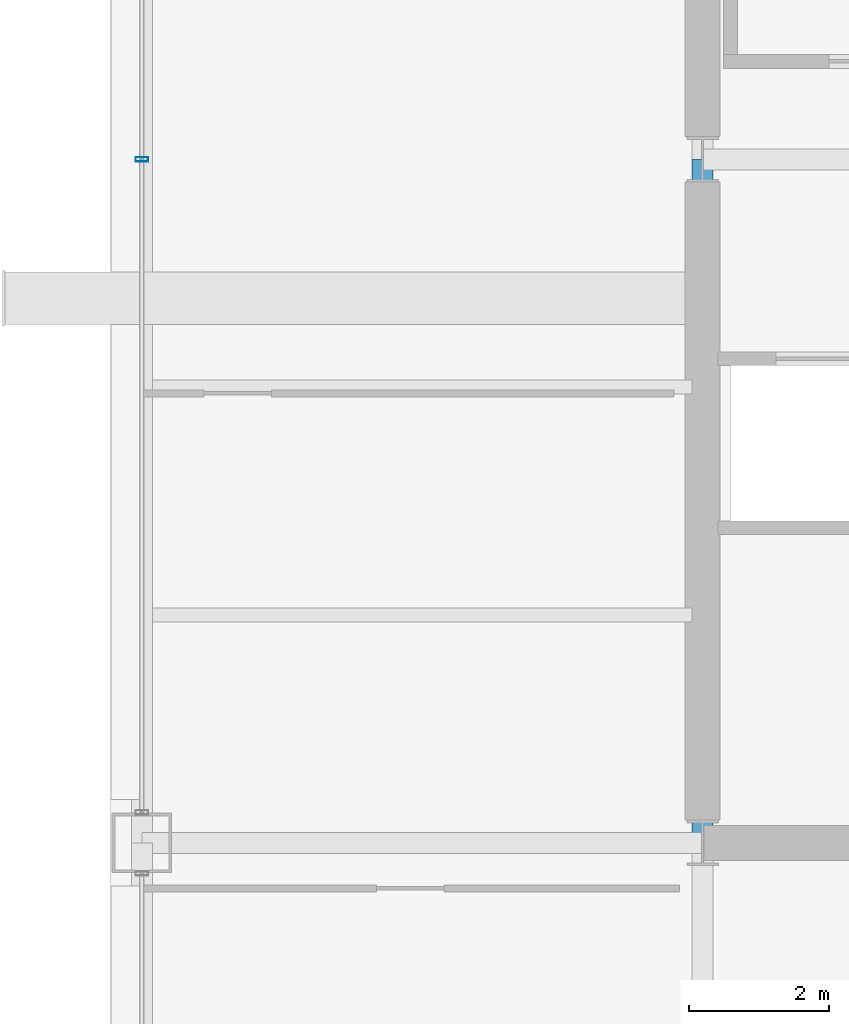
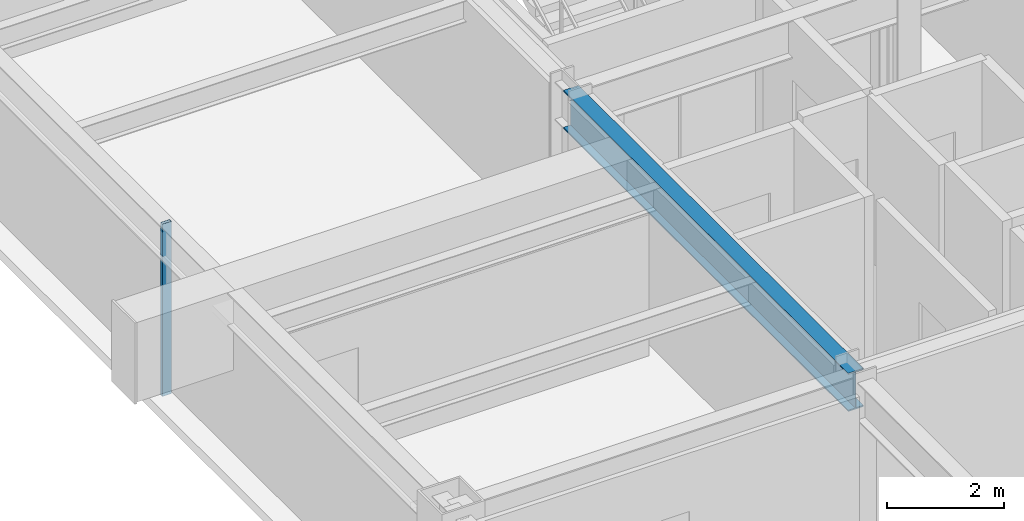
# One storey, part 6 of 28: 1 beam, 1 member, 1 element without a shape of its own.
"""IFC4 building model written with IfcOpenShell, lengths in metres."""

import ifcopenshell
import ifcopenshell.guid

model = None  # the IFC model being written
_history = None  # IfcOwnerHistory: only IFC2X3 demands one
_inside = {}  # id of a spatial element -> (the spatial element, [elements in it])
_under = {}  # id of a project, library or spatial element -> (it, [spatial elements below it])
_declared = {}  # id of a project -> (the project, [libraries it declares])
_typed = {}  # id of a type object -> (the type object, [elements of that type])
_made_of = {}  # id of a material, layer set ... -> (it, [elements and type objects made of it])


def new_model(schema):
    """Start an empty IFC model of exactly this schema.

    Asked for "IFC4X3", IfcOpenShell would pick the latest addendum, in which some entities
    have other attributes; the version numbers below select the first issue.
    IFC2X3 requires an IfcOwnerHistory on every rooted entity: one is made here for all.
    """
    global model, _history
    if schema == "IFC4X3":
        model = ifcopenshell.file(schema_version=(4, 3, 0, 0))
    else:
        model = ifcopenshell.file(schema=schema)
    _inside.clear()
    _under.clear()
    _declared.clear()
    _typed.clear()
    _made_of.clear()
    _history = None
    if model.schema == "IFC2X3":
        org = make("IfcOrganization", Name="unknown")
        user = make(
            "IfcPersonAndOrganization",
            ThePerson=make("IfcPerson", FamilyName="unknown"),
            TheOrganization=org,
        )
        app = make(
            "IfcApplication",
            ApplicationDeveloper=org,
            Version="unknown",
            ApplicationFullName="unknown",
            ApplicationIdentifier="unknown",
        )
        _history = make(
            "IfcOwnerHistory",
            OwningUser=user,
            OwningApplication=app,
            ChangeAction="ADDED",
            CreationDate=0,
        )
    return model


def make(cls, **values):
    """One entity of the class cls with the attributes given. An attribute that is None is left unset."""
    return model.create_entity(
        cls, **{name: value for name, value in values.items() if value is not None}
    )


def rooted(cls, **values):
    """An entity with a GlobalId (a new one), such as an element, a storey or a relation."""
    return make(cls, GlobalId=ifcopenshell.guid.new(), OwnerHistory=_history, **values)


def si_unit(unit_type, name, prefix=None):
    """IfcSIUnit, for example si_unit("LENGTHUNIT", "METRE", prefix="MILLI")."""
    return make("IfcSIUnit", UnitType=unit_type, Prefix=prefix, Name=name)


def assignment(units):
    """IfcUnitAssignment: the units of a project."""
    return None if units is None else make("IfcUnitAssignment", Units=units)


def point(xyz):
    """IfcCartesianPoint."""
    return None if xyz is None else make("IfcCartesianPoint", Coordinates=xyz)


def direction(xyz):
    """IfcDirection."""
    return None if xyz is None else make("IfcDirection", DirectionRatios=xyz)


def frame(location, z_axis=None, x_axis=None):
    """IfcAxis2Placement3D, a coordinate frame: its origin and axes. An axis left out is left unset."""
    return make(
        "IfcAxis2Placement3D",
        Location=point(location),
        Axis=direction(z_axis),
        RefDirection=direction(x_axis),
    )


def frame_2d(location, x_axis=None):
    """IfcAxis2Placement2D, a coordinate frame in the plane: its origin and x axis."""
    return make(
        "IfcAxis2Placement2D", Location=point(location), RefDirection=direction(x_axis)
    )


def origin():
    """The frame at (0, 0, 0) with its axes left unset."""
    return frame((0.0, 0.0, 0.0))


def origin_2d():
    """The frame at (0, 0) in the plane with its x axis left unset."""
    return frame_2d((0.0, 0.0))


def place(relative_to, where):
    """IfcLocalPlacement: puts the frame where relative to a parent placement (None: the world)."""
    return make(
        "IfcLocalPlacement", PlacementRelTo=relative_to, RelativePlacement=where
    )


def context(
    kind, dimensions, precision=None, world=None, true_north=None, identifier=None
):
    """IfcGeometricRepresentationContext, for example the 3D "Model" context."""
    return make(
        "IfcGeometricRepresentationContext",
        ContextIdentifier=identifier,
        ContextType=kind,
        CoordinateSpaceDimension=dimensions,
        Precision=precision,
        WorldCoordinateSystem=world,
        TrueNorth=true_north,
    )


def subcontext(parent, identifier, kind, view, scale=None):
    """IfcGeometricRepresentationSubContext, for example "Body" below "Model"."""
    return make(
        "IfcGeometricRepresentationSubContext",
        ContextIdentifier=identifier,
        ContextType=kind,
        ParentContext=parent,
        TargetScale=scale,
        TargetView=view,
    )


def project(units=None, contexts=None):
    """IfcProject with its units and contexts."""
    return rooted(
        "IfcProject",
        Name="project",
        RepresentationContexts=contexts,
        UnitsInContext=assignment(units),
    )


def spatial(cls, under=None, at=None, **own):
    """A site, building, storey or space (cls), placed at a placement, below another one or the project."""
    s = rooted(cls, ObjectPlacement=at, **own)
    if under is not None:
        _under.setdefault(under.id(), (under, []))[1].append(s)
    return s


def profile(cls, at=None, kind="AREA", **sizes):
    """A parametric profile (cls). Its sizes go by their IFC names, for example OverallWidth=200.0."""
    return make(cls, ProfileType=kind, Position=at, **sizes)


def hollow_rectangle(**sizes):
    """IfcRectangleHollowProfileDef."""
    return profile("IfcRectangleHollowProfileDef", **sizes)


def i_section(**sizes):
    """IfcIShapeProfileDef."""
    return profile("IfcIShapeProfileDef", **sizes)


def extrude(swept, where, along, depth):
    """IfcExtrudedAreaSolid: the profile swept, set in the frame where, extruded along a direction by depth."""
    return make(
        "IfcExtrudedAreaSolid",
        SweptArea=swept,
        Position=where,
        ExtrudedDirection=direction(along),
        Depth=depth,
    )


def shape(context_of_items, identifier, shape_type, items):
    """IfcShapeRepresentation: the items that make up one representation, for example the "Body"."""
    return make(
        "IfcShapeRepresentation",
        ContextOfItems=context_of_items,
        RepresentationIdentifier=identifier,
        RepresentationType=shape_type,
        Items=items,
    )


def material(Name=None, Category=None):
    """IfcMaterial."""
    return make("IfcMaterial", Name=Name, Category=Category)


def layer(
    of_material, thickness, ventilated=None, Name=None, Category=None, Priority=None
):
    """IfcMaterialLayer: one layer of a wall or slab, of a material (None: an air gap)."""
    return make(
        "IfcMaterialLayer",
        Material=of_material,
        LayerThickness=thickness,
        IsVentilated=ventilated,
        Name=Name,
        Category=Category,
        Priority=Priority,
    )


def layer_set(layers, Name=None):
    """IfcMaterialLayerSet."""
    return make("IfcMaterialLayerSet", MaterialLayers=layers, LayerSetName=Name)


def material_profile(
    of_material, cross_section, Name=None, Category=None, Priority=None
):
    """IfcMaterialProfile: a cross section and its material."""
    return make(
        "IfcMaterialProfile",
        Name=Name,
        Material=of_material,
        Profile=cross_section,
        Priority=Priority,
        Category=Category,
    )


def profile_set(profiles, Name=None, composite=None):
    """IfcMaterialProfileSet."""
    return make(
        "IfcMaterialProfileSet",
        Name=Name,
        MaterialProfiles=profiles,
        CompositeProfile=composite,
    )


def made_of(thing, what):
    """Note that an element or type object is made of a material, layer set ...; save() writes the relation."""
    if what is not None:
        _made_of.setdefault(what.id(), (what, []))[1].append(thing)
    return thing


def type_object(cls, material=None, **own):
    """A type object (cls), such as IfcWallType, which elements share."""
    return made_of(rooted(cls, **own), material)


def element(
    cls,
    number,
    at=None,
    inside=None,
    cuts=None,
    type_object=None,
    material=None,
    context=None,
    identifier="Body",
    shape_type=None,
    held_by="IfcProductDefinitionShape",
    body=None,
    shapes=None,
    **own,
):
    """One element of the class cls, such as IfcWall. Its Tag is "e" and its number.

    at: its placement. inside: the storey or other place that contains it. cuts: it is an
    opening in that element (IfcRelVoidsElement). A single representation is given by context,
    identifier, shape_type and body (its items); several are given by shapes. held_by: the class
    of the entity that holds the representations. save() writes the other relations.
    """
    e = rooted(cls, Tag="e%d" % number, ObjectPlacement=at, **own)
    if body is not None:
        shapes = [shape(context, identifier, shape_type, body)]
    if shapes is not None:
        e.Representation = make(held_by, Representations=shapes)
    if inside is not None:
        _inside.setdefault(inside.id(), (inside, []))[1].append(e)
    if cuts is not None:
        rooted(
            "IfcRelVoidsElement", RelatingBuildingElement=cuts, RelatedOpeningElement=e
        )
    if type_object is not None:
        _typed.setdefault(type_object.id(), (type_object, []))[1].append(e)
    return made_of(e, material)


def aggregate(whole, parts):
    """IfcRelAggregates: a whole, such as a stair, and the parts it consists of."""
    return rooted("IfcRelAggregates", RelatingObject=whole, RelatedObjects=parts)


def save(model, path):
    """Write the relations noted so far, then the file.

    IfcRelAggregates (storeys below a building ...), IfcRelContainedInSpatialStructure (elements
    in a storey), IfcRelDefinesByType, IfcRelAssociatesMaterial and IfcRelDeclares: one each for
    every whole, place, type object, material and project.
    """
    for whole, parts in _under.values():
        aggregate(whole, parts)
    for where, things in _inside.values():
        rooted(
            "IfcRelContainedInSpatialStructure",
            RelatedElements=things,
            RelatingStructure=where,
        )
    for kind, things in _typed.values():
        rooted("IfcRelDefinesByType", RelatedObjects=things, RelatingType=kind)
    for what, things in _made_of.values():
        rooted("IfcRelAssociatesMaterial", RelatedObjects=things, RelatingMaterial=what)
    for by, libraries in _declared.values():
        rooted("IfcRelDeclares", RelatingContext=by, RelatedDefinitions=libraries)
    model.write(path)


model = new_model("IFC4")

# Units and contexts
model_context = context("Model", 3, precision=1e-05, world=origin(), true_north=direction((0.0, 1.0)))
body_context = subcontext(model_context, "Body", "Model", "MODEL_VIEW")
ifc_project = project(units=[si_unit("LENGTHUNIT", "METRE"), si_unit("AREAUNIT", "SQUARE_METRE"), si_unit("VOLUMEUNIT", "CUBIC_METRE"), si_unit("PLANEANGLEUNIT", "RADIAN"), si_unit("MASSUNIT", "GRAM", prefix="KILO")], contexts=[model_context])

# Site, building, storey
site_placement = place(None, origin())
site = spatial("IfcSite", under=ifc_project, at=site_placement, CompositionType="ELEMENT")
building_placement = place(site_placement, origin())
building = spatial("IfcBuilding", under=site, at=building_placement, Name="Brelmoor Portico Tower", CompositionType="ELEMENT")
storey_placement = place(building_placement, frame((0.0, 0.0, 91.800048828125)))
storey = spatial("IfcBuildingStorey", under=building, at=storey_placement, Name="L23", CompositionType="ELEMENT", Elevation=91.800048828125)

# Beam
ifc_material_1 = material(Name="Steel Q355B", Category="steel")
ifc_material_profile_1 = material_profile(ifc_material_1, i_section(OverallWidth=0.300048828125, OverallDepth=0.800048828125, WebThickness=0.013916015625, FlangeThickness=0.02587890625, at=origin_2d()), Name="HN 800x300x14x26")
ifc_profile_set_1 = profile_set([ifc_material_profile_1], Name="Steel Q355B")
beam_type = type_object("IfcBeamType", Name="BM-PG-800", PredefinedType="BEAM", material=ifc_profile_set_1)
beam_placement = place(storey_placement, frame((-14.550048828125, -9.75, 3.0), z_axis=(0.0, 1.0, 0.0), x_axis=(-1.0, 0.0, 0.0)))
element("IfcBeam", 1, at=beam_placement, inside=storey, type_object=beam_type, Name="L23 Primary Floor Girder PG-02", PredefinedType="BEAM", context=body_context, shape_type="SweptSolid", body=[
    extrude(i_section(OverallWidth=0.300048828125, OverallDepth=0.800048828125, WebThickness=0.013916015625, FlangeThickness=0.02587890625, at=origin_2d()), origin(), (0.0, 0.0, 1.0), 9.75),
])

# Curtain wall, member
ifc_material_2 = material(Name="Anodised Aluminium Alloy 6063-T6", Category="aluminium")
ifc_layer = layer(ifc_material_2, 0.179931640625)
ifc_layer_set = layer_set([ifc_layer], Name="Anodised Aluminium Alloy 6063-T6")
curtain_wall_type = type_object("IfcCurtainWallType", Name="CW-TOWER-Z2-XB", PredefinedType="NOTDEFINED", material=ifc_layer_set)
curtain_wall_placement = place(storey_placement, origin())
curtain_wall = element("IfcCurtainWall", 2, at=curtain_wall_placement, inside=storey, type_object=curtain_wall_type, Name="L23 Curtain Wall CW-L23-03-2", PredefinedType="NOTDEFINED")
ifc_material_profile_2 = material_profile(ifc_material_2, hollow_rectangle(XDim=0.06494140625, YDim=0.179931640625, WallThickness=0.00390625, at=origin_2d()), Name="ALU MULLION 65x180")
ifc_profile_set_2 = profile_set([ifc_material_profile_2], Name="Anodised Aluminium Alloy 6063-T6")
member_type = type_object("IfcMemberType", Name="MB-CW-MULL-180", PredefinedType="MULLION", material=ifc_profile_set_2)
member_placement = place(storey_placement, frame((-22.550048828125, 0.0, -0.199951171875), z_axis=(0.0, 0.0, 1.0), x_axis=(0.0, 1.0, 0.0)))
member = element("IfcMember", 3, at=member_placement, type_object=member_type, Name="CW-L23-03-2 Mullion 01", PredefinedType="MULLION", context=body_context, shape_type="SweptSolid", body=[
    extrude(hollow_rectangle(XDim=0.06494140625, YDim=0.179931640625, WallThickness=0.00390625, at=origin_2d()), origin(), (0.0, 0.0, 1.0), 3.599853515625),
])
aggregate(curtain_wall, [member])

save(model, "model.ifc")
